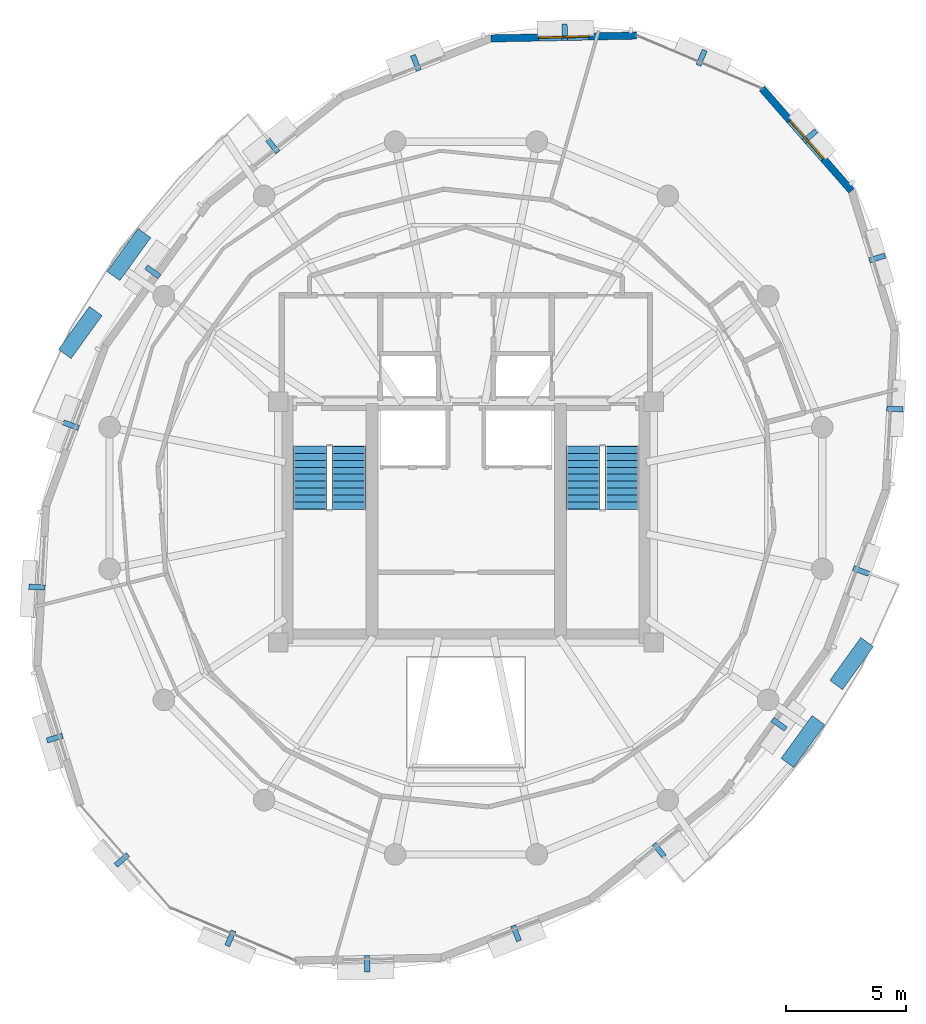
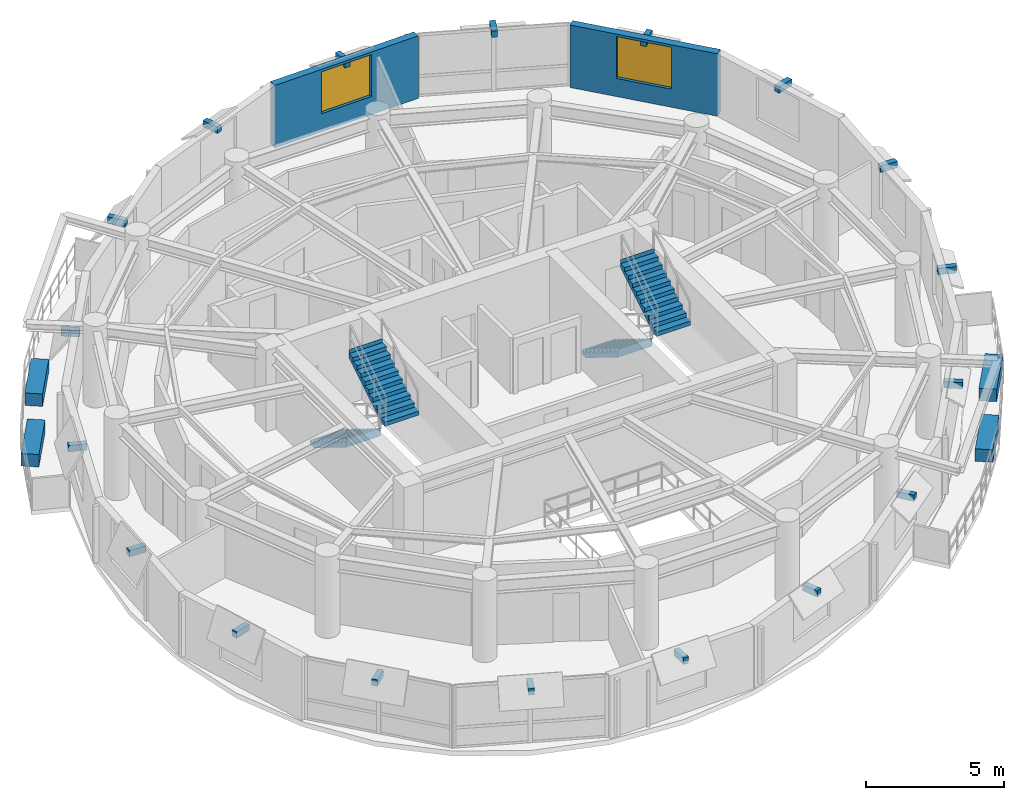
# One storey, part 9 of 11: 22 discrete accessories, 4 stair flights, 2 walls, 2 windows, 2 openings, 2 elements without a shape of their own.
"""IFC4 building model written with IfcOpenShell, lengths in metres."""

from ifc_helpers import new_model, si_unit, direction, frame, frame_2d, origin, origin_2d, place, context, subcontext, project, spatial, polyline, rectangle, outline, extrude, material, layer, layer_set, type_object, element, fill, aggregate, save


model = new_model("IFC4")

# Units and contexts
model_context = context("Model", 3, precision=1e-05, world=origin(), true_north=direction((0.0, 1.0)))
body_context = subcontext(model_context, "Body", "Model", "MODEL_VIEW")
ifc_project = project(units=[si_unit("LENGTHUNIT", "METRE"), si_unit("AREAUNIT", "SQUARE_METRE"), si_unit("VOLUMEUNIT", "CUBIC_METRE"), si_unit("PLANEANGLEUNIT", "RADIAN"), si_unit("MASSUNIT", "GRAM", prefix="KILO"), si_unit("THERMODYNAMICTEMPERATUREUNIT", "KELVIN"), si_unit("POWERUNIT", "WATT")], contexts=[model_context])

# Site, building, storey
site_placement = place(None, origin())
site = spatial("IfcSite", under=ifc_project, at=site_placement, CompositionType="ELEMENT")
building_placement = place(site_placement, origin())
building = spatial("IfcBuilding", under=site, at=building_placement, Name="Ocrelia Relay Tower", CompositionType="ELEMENT")
storey_placement = place(building_placement, frame((0.0, 0.0, 255.60009765625)))
storey = spatial("IfcBuildingStorey", under=building, at=storey_placement, Name="L63", CompositionType="ELEMENT", Elevation=255.60009765625)

# Wall, opening, window
ifc_material_1 = material(Name="Precast concrete C40/50 with oxide terracotta", Category="masonry")
ifc_layer = layer(ifc_material_1, 0.300048828125, Name="Precast concrete C40/50 with oxide terracotta")
ifc_layer_set = layer_set([ifc_layer], Name="Precast concrete C40/50 with oxide terracotta")
wall_type = type_object("IfcWallType", Name="W-EXT-TERR-300", PredefinedType="SOLIDWALL", material=ifc_layer_set)
wall_1_placement = place(storey_placement, frame((41.093994140625, 45.22021484375, 0.0), z_axis=(0.0, 0.0, 1.0), x_axis=(-0.999804463841, -0.019774581742, 0.0)))
wall_1 = element("IfcWall", 1, at=wall_1_placement, inside=storey, type_object=wall_type, Name="L63 Oxide Terracotta Facade Wall 02", PredefinedType="SOLIDWALL", context=body_context, shape_type="SweptSolid", body=[
    extrude(rectangle(XDim=6.06201171875, YDim=0.300048828125, at=frame_2d((3.031005859375, 0.0))), origin(), (0.0, 0.0, 1.0), 2.760009765625),
])
opening_1_placement = place(wall_1_placement, frame((1.98095703125, 0.0, 0.800048828125)))
opening_1 = element("IfcOpeningElement", 2, at=opening_1_placement, cuts=wall_1, Name="Opening W-07", PredefinedType="OPENING", context=body_context, shape_type="SweptSolid", body=[
    extrude(rectangle(XDim=2.10009765625, YDim=1.85009765625, at=frame_2d((1.050048828125, 0.925048828125))), frame((0.0, 0.16015625, 0.0), z_axis=(0.0, -1.0, 0.0), x_axis=(1.0, 0.0, 0.0)), (0.0, 0.0, 1.0), 0.320068359375),
])
ifc_material_2 = material(Name="Clear double-glazed low-E glass", Category="glass")
window_type = type_object("IfcWindowType", Name="WIN-Z4-2100x2200", PartitioningType="DOUBLE_PANEL_VERTICAL", PredefinedType="WINDOW", material=ifc_material_2)
window_1_placement = place(opening_1_placement, origin())
window_1 = element("IfcWindow", 3, at=window_1_placement, inside=storey, type_object=window_type, Name="L63 Facade Module Window 02", OverallHeight=1.85009765625, OverallWidth=2.10009765625, PartitioningType="SINGLE_PANEL", PredefinedType="WINDOW", context=body_context, shape_type="SweptSolid", body=[
    extrude(rectangle(XDim=2.10009765625, YDim=1.85009765625, at=frame_2d((1.050048828125, 0.925048828125))), frame((0.0, 0.030029296875, 0.0), z_axis=(0.0, -1.0, 0.0), x_axis=(1.0, 0.0, 0.0)), (0.0, 0.0, 1.0), 0.06005859375),
])
fill(opening_1, window_1)

wall_2_placement = place(storey_placement, frame((50.0205078125, 38.77001953125, 0.0), z_axis=(0.0, 0.0, 1.0), x_axis=(-0.658645314642, 0.752453553052, 0.0)))
wall_2 = element("IfcWall", 4, at=wall_2_placement, inside=storey, type_object=wall_type, Name="L63 Oxide Terracotta Facade Wall 18", PredefinedType="SOLIDWALL", context=body_context, shape_type="SweptSolid", body=[
    extrude(rectangle(XDim=5.650146484375, YDim=0.300048828125, at=frame_2d((2.8251953125, 0.0))), origin(), (0.0, 0.0, 1.0), 2.760009765625),
])
opening_2_placement = place(wall_2_placement, frame((1.77490234375, 0.0, 0.800048828125)))
opening_2 = element("IfcOpeningElement", 5, at=opening_2_placement, cuts=wall_2, Name="Opening W-07", PredefinedType="OPENING", context=body_context, shape_type="SweptSolid", body=[
    extrude(rectangle(XDim=2.10009765625, YDim=1.85009765625, at=frame_2d((1.050048828125, 0.925048828125))), frame((0.0, 0.16015625, 0.0), z_axis=(0.0, -1.0, 0.0), x_axis=(1.0, 0.0, 0.0)), (0.0, 0.0, 1.0), 0.320068359375),
])
window_2_placement = place(opening_2_placement, origin())
window_2 = element("IfcWindow", 6, at=window_2_placement, inside=storey, type_object=window_type, Name="L63 Facade Module Window 18", OverallHeight=1.85009765625, OverallWidth=2.10009765625, PartitioningType="SINGLE_PANEL", PredefinedType="WINDOW", context=body_context, shape_type="SweptSolid", body=[
    extrude(rectangle(XDim=2.10009765625, YDim=1.85009765625, at=frame_2d((1.050048828125, 0.925048828125))), frame((0.0, 0.030029296875, 0.0), z_axis=(0.0, -1.0, 0.0), x_axis=(1.0, 0.0, 0.0)), (0.0, 0.0, 1.0), 0.06005859375),
])
fill(opening_2, window_2)

# Stair, stair flights
ifc_material_3 = material(Name="Concrete C50/60", Category="concrete")
stair_type = type_object("IfcStairType", Name="ST-DL-1420-R180", PredefinedType="HALF_TURN_STAIR", material=ifc_material_3)
stair_1_placement = place(storey_placement, origin())
stair_1 = element("IfcStair", 7, at=stair_1_placement, inside=storey, type_object=stair_type, Name="L63 West Core Exit Stair ST1", PredefinedType="HALF_TURN_STAIR")
stair_flight_type = type_object("IfcStairFlightType", Name="STF-DL-1420-R180", PredefinedType="STRAIGHT", material=ifc_material_3)
stair_flight_1_placement = place(storey_placement, frame((27.52001953125, 28.14990234375, 0.0), z_axis=(0.0, 0.0, 1.0), x_axis=(0.0, -1.0, 0.0)))
stair_flight_1 = element("IfcStairFlight", 8, at=stair_flight_1_placement, type_object=stair_flight_type, Name="ST1 flight 1", NumberOfRisers=10, NumberOfTreads=9, PredefinedType="STRAIGHT", RiserHeight=0.18, TreadLength=0.29, context=body_context, shape_type="SweptSolid", body=[
    extrude(outline(polyline([(-0.008056640625, 0.0), (-0.008056640625, 0.179931640625), (0.0, 0.179931640625), (0.2900390625, 0.179931640625), (0.2900390625, 0.360107421875), (0.580078125, 0.360107421875), (0.580078125, 0.5400390625), (0.8701171875, 0.5400390625), (0.8701171875, 0.719970703125), (1.159912109375, 0.719970703125), (1.159912109375, 0.89990234375), (1.449951171875, 0.89990234375), (1.449951171875, 1.080078125), (1.739990234375, 1.080078125), (1.739990234375, 1.260009765625), (2.030029296875, 1.260009765625), (2.030029296875, 1.43994140625), (2.320068359375, 1.43994140625), (2.320068359375, 1.6201171875), (2.610107421875, 1.6201171875), (2.610107421875, 1.800048828125), (2.617919921875, 1.800048828125), (2.617919921875, 1.443603515625), (0.2841796875, 0.0), (-0.008056640625, 0.0)])), frame((0.0, 0.7099609375, 0.0), z_axis=(0.0, -1.0, 0.0), x_axis=(1.0, 0.0, 0.0)), (0.0, 0.0, 1.0), 1.419921875),
])
stair_flight_2_placement = place(storey_placement, frame((29.139892578125, 25.5400390625, 1.7998046875), z_axis=(0.0, 0.0, 1.0), x_axis=(0.0, 1.0, 0.0)))
stair_flight_2 = element("IfcStairFlight", 9, at=stair_flight_2_placement, type_object=stair_flight_type, Name="ST1 flight 2", NumberOfRisers=10, NumberOfTreads=9, PredefinedType="STRAIGHT", RiserHeight=0.18, TreadLength=0.29, context=body_context, shape_type="SweptSolid", body=[
    extrude(outline(polyline([(-0.008056640625, 0.0), (-0.008056640625, 0.179931640625), (0.0, 0.179931640625), (0.2900390625, 0.179931640625), (0.2900390625, 0.360107421875), (0.580078125, 0.360107421875), (0.580078125, 0.5400390625), (0.8701171875, 0.5400390625), (0.8701171875, 0.719970703125), (1.159912109375, 0.719970703125), (1.159912109375, 0.89990234375), (1.449951171875, 0.89990234375), (1.449951171875, 1.080078125), (1.739990234375, 1.080078125), (1.739990234375, 1.260009765625), (2.030029296875, 1.260009765625), (2.030029296875, 1.43994140625), (2.320068359375, 1.43994140625), (2.320068359375, 1.6201171875), (2.610107421875, 1.6201171875), (2.610107421875, 1.800048828125), (2.617919921875, 1.800048828125), (2.617919921875, 1.443603515625), (0.2841796875, 0.0), (-0.008056640625, 0.0)])), frame((0.0, 0.7099609375, 0.0), z_axis=(0.0, -1.0, 0.0), x_axis=(1.0, 0.0, 0.0)), (0.0, 0.0, 1.0), 1.419921875),
])
aggregate(stair_1, [stair_flight_1, stair_flight_2])

stair_2_placement = place(storey_placement, origin())
stair_2 = element("IfcStair", 10, at=stair_2_placement, inside=storey, type_object=stair_type, Name="L63 East Core Exit Stair ST2", PredefinedType="HALF_TURN_STAIR")
stair_flight_3_placement = place(storey_placement, frame((38.8701171875, 28.14990234375, 0.0), z_axis=(0.0, 0.0, 1.0), x_axis=(0.0, -1.0, 0.0)))
stair_flight_3 = element("IfcStairFlight", 11, at=stair_flight_3_placement, type_object=stair_flight_type, Name="ST2 flight 1", NumberOfRisers=10, NumberOfTreads=9, PredefinedType="STRAIGHT", RiserHeight=0.18, TreadLength=0.29, context=body_context, shape_type="SweptSolid", body=[
    extrude(outline(polyline([(-0.008056640625, 0.0), (-0.008056640625, 0.179931640625), (0.0, 0.179931640625), (0.2900390625, 0.179931640625), (0.2900390625, 0.360107421875), (0.580078125, 0.360107421875), (0.580078125, 0.5400390625), (0.8701171875, 0.5400390625), (0.8701171875, 0.719970703125), (1.159912109375, 0.719970703125), (1.159912109375, 0.89990234375), (1.449951171875, 0.89990234375), (1.449951171875, 1.080078125), (1.739990234375, 1.080078125), (1.739990234375, 1.260009765625), (2.030029296875, 1.260009765625), (2.030029296875, 1.43994140625), (2.320068359375, 1.43994140625), (2.320068359375, 1.6201171875), (2.610107421875, 1.6201171875), (2.610107421875, 1.800048828125), (2.617919921875, 1.800048828125), (2.617919921875, 1.443603515625), (0.2841796875, 0.0), (-0.008056640625, 0.0)])), frame((0.0, 0.7099609375, 0.0), z_axis=(0.0, -1.0, 0.0), x_axis=(1.0, 0.0, 0.0)), (0.0, 0.0, 1.0), 1.419921875),
])
stair_flight_4_placement = place(storey_placement, frame((40.489990234375, 25.5400390625, 1.7998046875), z_axis=(0.0, 0.0, 1.0), x_axis=(0.0, 1.0, 0.0)))
stair_flight_4 = element("IfcStairFlight", 12, at=stair_flight_4_placement, type_object=stair_flight_type, Name="ST2 flight 2", NumberOfRisers=10, NumberOfTreads=9, PredefinedType="STRAIGHT", RiserHeight=0.18, TreadLength=0.29, context=body_context, shape_type="SweptSolid", body=[
    extrude(outline(polyline([(-0.008056640625, 0.0), (-0.008056640625, 0.179931640625), (0.0, 0.179931640625), (0.2900390625, 0.179931640625), (0.2900390625, 0.360107421875), (0.580078125, 0.360107421875), (0.580078125, 0.5400390625), (0.8701171875, 0.5400390625), (0.8701171875, 0.719970703125), (1.159912109375, 0.719970703125), (1.159912109375, 0.89990234375), (1.449951171875, 0.89990234375), (1.449951171875, 1.080078125), (1.739990234375, 1.080078125), (1.739990234375, 1.260009765625), (2.030029296875, 1.260009765625), (2.030029296875, 1.43994140625), (2.320068359375, 1.43994140625), (2.320068359375, 1.6201171875), (2.610107421875, 1.6201171875), (2.610107421875, 1.800048828125), (2.617919921875, 1.800048828125), (2.617919921875, 1.443603515625), (0.2841796875, 0.0), (-0.008056640625, 0.0)])), frame((0.0, 0.7099609375, 0.0), z_axis=(0.0, -1.0, 0.0), x_axis=(1.0, 0.0, 0.0)), (0.0, 0.0, 1.0), 1.419921875),
])
aggregate(stair_2, [stair_flight_3, stair_flight_4])

# Discrete accessories
ifc_material_4 = material(Name="Precast concrete C40/50 planter with highland greenery", Category="concrete")
discrete_accessory_type_1 = type_object("IfcDiscreteAccessoryType", Name="ACC-BALC-PLANTER", PredefinedType="USERDEFINED", material=ifc_material_4)
for number, where, z_axis, x_axis, name in (
    (13, (19.99560546875, 36.11865234375, 0.0), (0.0, 0.0, 1.0), (0.585667293322, 0.810551553902, 0.0), "L63 Balcony Terracotta Planter with Greenery B1"),
    (14, (17.970458984375, 32.8779296875, 0.0), (0.0, 0.0, 1.0), (0.585667293322, 0.810551553902, 0.0), "L63 Balcony Terracotta Planter B1-2"),
    (15, (48.00439453125, 15.88134765625, 0.0), (0.0, 0.0, 1.0), (-0.585667293322, -0.810551553902, 0.0), "L63 Balcony Terracotta Planter with Greenery B2"),
    (16, (50.029541015625, 19.1220703125, 0.0), (0.0, 0.0, 1.0), (-0.585667293322, -0.810551553902, 0.0), "L63 Balcony Terracotta Planter B2-2"),
):
    element("IfcDiscreteAccessory", number, at=place(storey_placement, frame(where, z_axis=z_axis, x_axis=x_axis)), inside=storey, type_object=discrete_accessory_type_1, Name=name, ObjectType="PLANTER", PredefinedType="USERDEFINED", context=body_context, shape_type="SweptSolid", body=[
        extrude(rectangle(XDim=2.199951171875, YDim=0.64990234375, at=origin_2d()), origin(), (0.0, 0.0, 1.0), 0.550048828125),
    ])
ifc_material_5 = material(Name="Steel S355", Category="steel")
discrete_accessory_type_2 = type_object("IfcDiscreteAccessoryType", Name="ACC-VISOR-BRACKET", PredefinedType="BRACKET", material=ifc_material_5)
for number, where, z_axis, x_axis, name in (
    (17, (43.790771484375, 44.297119140625, 2.4599609375), (0.0, 0.0, 1.0), (-0.921199382172, 0.389090861221, 0.0), "L63 Visor Mounting Bracket 01"),
    (18, (38.10498046875, 45.355712890625, 2.4599609375), (0.0, 0.0, 1.0), (-0.999804696142, -0.019762833108, 0.0), "L63 Visor Mounting Bracket 02"),
    (19, (31.917724609375, 44.087158203125, 2.4599609375), (0.0, 0.0, 1.0), (-0.931075889498, -0.36482555831, 0.0), "L63 Visor Mounting Bracket 03"),
    (20, (25.9697265625, 40.634521484375, 2.4599609375), (0.0, 0.0, 1.0), (-0.781972743201, -0.623312625326, 0.0), "L63 Visor Mounting Bracket 04"),
    (21, (20.986083984375, 35.403076171875, 2.4599609375), (0.0, 0.0, 1.0), (-0.585660252398, -0.810556641303, 0.0), "L63 Visor Mounting Bracket 05"),
    (22, (17.584228515625, 29.02880859375, 2.4599609375), (0.0, 0.0, 1.0), (-0.346256297157, -0.938139955806, 0.0), "L63 Visor Mounting Bracket 06"),
    (23, (16.173583984375, 22.297607421875, 2.4599609375), (0.0, 0.0, 1.0), (-0.054025965219, -0.998539531056, 0.0), "L63 Visor Mounting Bracket 07"),
    (24, (16.912109375, 16.02490234375, 2.4599609375), (0.0, 0.0, 1.0), (0.295171841882, -0.955444181394, 0.0), "L63 Visor Mounting Bracket 08"),
    (25, (19.702392578125, 10.959228515625, 2.4599609375), (0.0, 0.0, 1.0), (0.658658709941, -0.752441827532, 0.0), "L63 Visor Mounting Bracket 09"),
    (26, (24.209228515625, 7.702880859375, 2.4599609375), (0.0, 0.0, 1.0), (0.921199382172, -0.389090861221, 0.0), "L63 Visor Mounting Bracket 10"),
    (27, (29.89501953125, 6.644287109375, 2.4599609375), (0.0, 0.0, 1.0), (0.999804696142, 0.019762833108, 0.0), "L63 Visor Mounting Bracket 11"),
    (28, (36.082275390625, 7.912841796875, 2.4599609375), (0.0, 0.0, 1.0), (0.931075889498, 0.36482555831, 0.0), "L63 Visor Mounting Bracket 12"),
    (29, (42.0302734375, 11.365478515625, 2.4599609375), (0.0, 0.0, 1.0), (0.781972743201, 0.623312625326, 0.0), "L63 Visor Mounting Bracket 13"),
    (30, (47.013916015625, 16.596923828125, 2.4599609375), (0.0, 0.0, 1.0), (0.585660252398, 0.810556641303, 0.0), "L63 Visor Mounting Bracket 14"),
    (31, (50.415771484375, 22.97119140625, 2.4599609375), (0.0, 0.0, 1.0), (0.346256297157, 0.938139955806, 0.0), "L63 Visor Mounting Bracket 15"),
    (32, (51.826416015625, 29.702392578125, 2.4599609375), (0.0, 0.0, 1.0), (0.054025965219, 0.998539531056, 0.0), "L63 Visor Mounting Bracket 16"),
    (33, (51.087890625, 35.97509765625, 2.4599609375), (0.0, 0.0, 1.0), (-0.295171841882, 0.955444181394, 0.0), "L63 Visor Mounting Bracket 17"),
    (34, (48.297607421875, 41.040771484375, 2.4599609375), (0.0, 0.0, 1.0), (-0.658658709941, 0.752441827532, 0.0), "L63 Visor Mounting Bracket 18"),
):
    element("IfcDiscreteAccessory", number, at=place(storey_placement, frame(where, z_axis=z_axis, x_axis=x_axis)), inside=storey, type_object=discrete_accessory_type_2, Name=name, PredefinedType="BRACKET", context=body_context, shape_type="SweptSolid", body=[
        extrude(rectangle(XDim=0.219970703125, YDim=0.679931640625, at=origin_2d()), origin(), (0.0, 0.0, 1.0), 0.280029296875),
    ])

save(model, "model.ifc")
